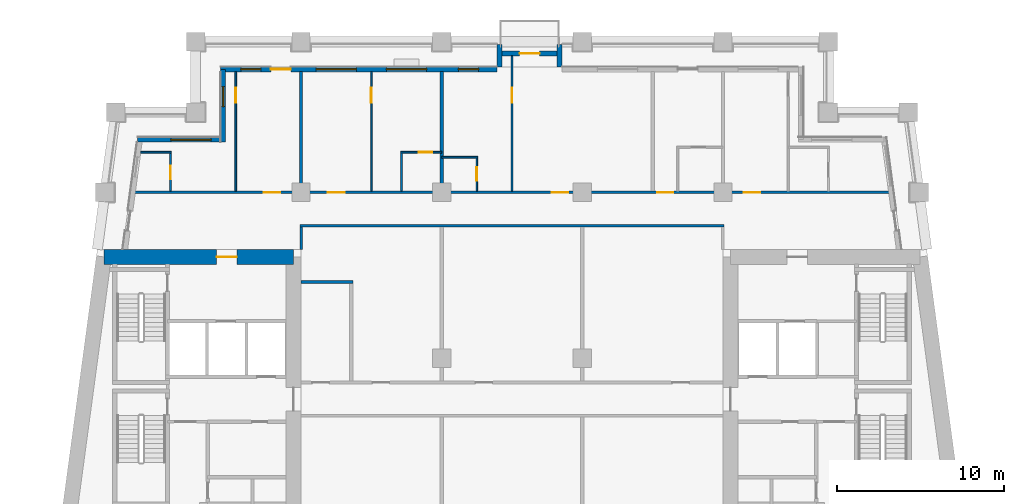
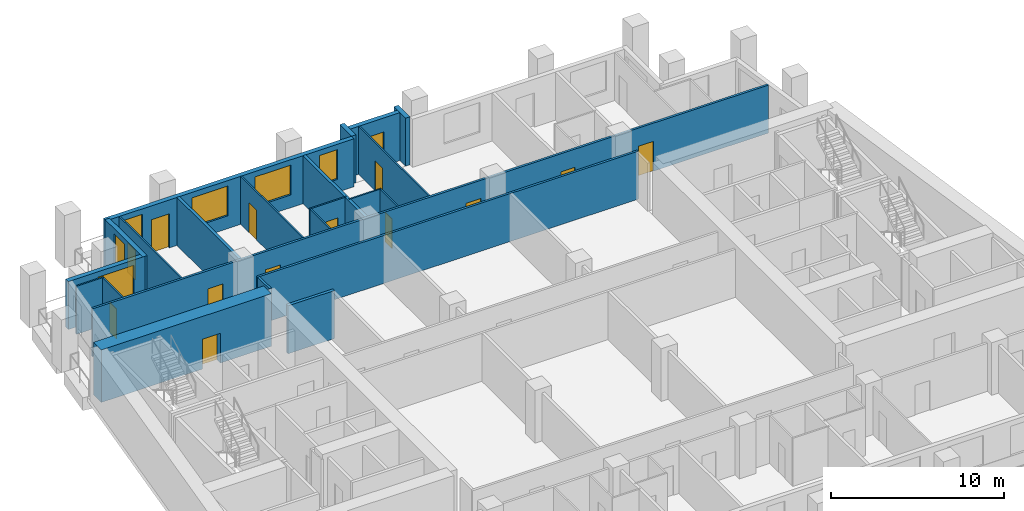
# One storey, part 6 of 12: 22 walls, 14 doors, 6 windows, 20 openings.
"""IFC4 building model written with IfcOpenShell, lengths in metres."""

import ifcopenshell
import ifcopenshell.guid

model = None  # the IFC model being written
_history = None  # IfcOwnerHistory: only IFC2X3 demands one
_inside = {}  # id of a spatial element -> (the spatial element, [elements in it])
_under = {}  # id of a project, library or spatial element -> (it, [spatial elements below it])
_declared = {}  # id of a project -> (the project, [libraries it declares])
_typed = {}  # id of a type object -> (the type object, [elements of that type])
_made_of = {}  # id of a material, layer set ... -> (it, [elements and type objects made of it])


def new_model(schema):
    """Start an empty IFC model of exactly this schema.

    Asked for "IFC4X3", IfcOpenShell would pick the latest addendum, in which some entities
    have other attributes; the version numbers below select the first issue.
    IFC2X3 requires an IfcOwnerHistory on every rooted entity: one is made here for all.
    """
    global model, _history
    if schema == "IFC4X3":
        model = ifcopenshell.file(schema_version=(4, 3, 0, 0))
    else:
        model = ifcopenshell.file(schema=schema)
    _inside.clear()
    _under.clear()
    _declared.clear()
    _typed.clear()
    _made_of.clear()
    _history = None
    if model.schema == "IFC2X3":
        org = make("IfcOrganization", Name="unknown")
        user = make(
            "IfcPersonAndOrganization",
            ThePerson=make("IfcPerson", FamilyName="unknown"),
            TheOrganization=org,
        )
        app = make(
            "IfcApplication",
            ApplicationDeveloper=org,
            Version="unknown",
            ApplicationFullName="unknown",
            ApplicationIdentifier="unknown",
        )
        _history = make(
            "IfcOwnerHistory",
            OwningUser=user,
            OwningApplication=app,
            ChangeAction="ADDED",
            CreationDate=0,
        )
    return model


def make(cls, **values):
    """One entity of the class cls with the attributes given. An attribute that is None is left unset."""
    return model.create_entity(
        cls, **{name: value for name, value in values.items() if value is not None}
    )


def rooted(cls, **values):
    """An entity with a GlobalId (a new one), such as an element, a storey or a relation."""
    return make(cls, GlobalId=ifcopenshell.guid.new(), OwnerHistory=_history, **values)


def si_unit(unit_type, name, prefix=None):
    """IfcSIUnit, for example si_unit("LENGTHUNIT", "METRE", prefix="MILLI")."""
    return make("IfcSIUnit", UnitType=unit_type, Prefix=prefix, Name=name)


def assignment(units):
    """IfcUnitAssignment: the units of a project."""
    return None if units is None else make("IfcUnitAssignment", Units=units)


def point(xyz):
    """IfcCartesianPoint."""
    return None if xyz is None else make("IfcCartesianPoint", Coordinates=xyz)


def direction(xyz):
    """IfcDirection."""
    return None if xyz is None else make("IfcDirection", DirectionRatios=xyz)


def frame(location, z_axis=None, x_axis=None):
    """IfcAxis2Placement3D, a coordinate frame: its origin and axes. An axis left out is left unset."""
    return make(
        "IfcAxis2Placement3D",
        Location=point(location),
        Axis=direction(z_axis),
        RefDirection=direction(x_axis),
    )


def frame_2d(location, x_axis=None):
    """IfcAxis2Placement2D, a coordinate frame in the plane: its origin and x axis."""
    return make(
        "IfcAxis2Placement2D", Location=point(location), RefDirection=direction(x_axis)
    )


def origin():
    """The frame at (0, 0, 0) with its axes left unset."""
    return frame((0.0, 0.0, 0.0))


def place(relative_to, where):
    """IfcLocalPlacement: puts the frame where relative to a parent placement (None: the world)."""
    return make(
        "IfcLocalPlacement", PlacementRelTo=relative_to, RelativePlacement=where
    )


def context(
    kind, dimensions, precision=None, world=None, true_north=None, identifier=None
):
    """IfcGeometricRepresentationContext, for example the 3D "Model" context."""
    return make(
        "IfcGeometricRepresentationContext",
        ContextIdentifier=identifier,
        ContextType=kind,
        CoordinateSpaceDimension=dimensions,
        Precision=precision,
        WorldCoordinateSystem=world,
        TrueNorth=true_north,
    )


def subcontext(parent, identifier, kind, view, scale=None):
    """IfcGeometricRepresentationSubContext, for example "Body" below "Model"."""
    return make(
        "IfcGeometricRepresentationSubContext",
        ContextIdentifier=identifier,
        ContextType=kind,
        ParentContext=parent,
        TargetScale=scale,
        TargetView=view,
    )


def project(units=None, contexts=None):
    """IfcProject with its units and contexts."""
    return rooted(
        "IfcProject",
        Name="project",
        RepresentationContexts=contexts,
        UnitsInContext=assignment(units),
    )


def spatial(cls, under=None, at=None, **own):
    """A site, building, storey or space (cls), placed at a placement, below another one or the project."""
    s = rooted(cls, ObjectPlacement=at, **own)
    if under is not None:
        _under.setdefault(under.id(), (under, []))[1].append(s)
    return s


def profile(cls, at=None, kind="AREA", **sizes):
    """A parametric profile (cls). Its sizes go by their IFC names, for example OverallWidth=200.0."""
    return make(cls, ProfileType=kind, Position=at, **sizes)


def rectangle(**sizes):
    """IfcRectangleProfileDef."""
    return profile("IfcRectangleProfileDef", **sizes)


def extrude(swept, where, along, depth):
    """IfcExtrudedAreaSolid: the profile swept, set in the frame where, extruded along a direction by depth."""
    return make(
        "IfcExtrudedAreaSolid",
        SweptArea=swept,
        Position=where,
        ExtrudedDirection=direction(along),
        Depth=depth,
    )


def shape(context_of_items, identifier, shape_type, items):
    """IfcShapeRepresentation: the items that make up one representation, for example the "Body"."""
    return make(
        "IfcShapeRepresentation",
        ContextOfItems=context_of_items,
        RepresentationIdentifier=identifier,
        RepresentationType=shape_type,
        Items=items,
    )


def material(Name=None, Category=None):
    """IfcMaterial."""
    return make("IfcMaterial", Name=Name, Category=Category)


def layer(
    of_material, thickness, ventilated=None, Name=None, Category=None, Priority=None
):
    """IfcMaterialLayer: one layer of a wall or slab, of a material (None: an air gap)."""
    return make(
        "IfcMaterialLayer",
        Material=of_material,
        LayerThickness=thickness,
        IsVentilated=ventilated,
        Name=Name,
        Category=Category,
        Priority=Priority,
    )


def layer_set(layers, Name=None):
    """IfcMaterialLayerSet."""
    return make("IfcMaterialLayerSet", MaterialLayers=layers, LayerSetName=Name)


def made_of(thing, what):
    """Note that an element or type object is made of a material, layer set ...; save() writes the relation."""
    if what is not None:
        _made_of.setdefault(what.id(), (what, []))[1].append(thing)
    return thing


def type_object(cls, material=None, **own):
    """A type object (cls), such as IfcWallType, which elements share."""
    return made_of(rooted(cls, **own), material)


def element(
    cls,
    number,
    at=None,
    inside=None,
    cuts=None,
    type_object=None,
    material=None,
    context=None,
    identifier="Body",
    shape_type=None,
    held_by="IfcProductDefinitionShape",
    body=None,
    shapes=None,
    **own,
):
    """One element of the class cls, such as IfcWall. Its Tag is "e" and its number.

    at: its placement. inside: the storey or other place that contains it. cuts: it is an
    opening in that element (IfcRelVoidsElement). A single representation is given by context,
    identifier, shape_type and body (its items); several are given by shapes. held_by: the class
    of the entity that holds the representations. save() writes the other relations.
    """
    e = rooted(cls, Tag="e%d" % number, ObjectPlacement=at, **own)
    if body is not None:
        shapes = [shape(context, identifier, shape_type, body)]
    if shapes is not None:
        e.Representation = make(held_by, Representations=shapes)
    if inside is not None:
        _inside.setdefault(inside.id(), (inside, []))[1].append(e)
    if cuts is not None:
        rooted(
            "IfcRelVoidsElement", RelatingBuildingElement=cuts, RelatedOpeningElement=e
        )
    if type_object is not None:
        _typed.setdefault(type_object.id(), (type_object, []))[1].append(e)
    return made_of(e, material)


def fill(opening, filler):
    """IfcRelFillsElement: the door or window that sits in an opening."""
    return rooted(
        "IfcRelFillsElement",
        RelatingOpeningElement=opening,
        RelatedBuildingElement=filler,
    )


def aggregate(whole, parts):
    """IfcRelAggregates: a whole, such as a stair, and the parts it consists of."""
    return rooted("IfcRelAggregates", RelatingObject=whole, RelatedObjects=parts)


def save(model, path):
    """Write the relations noted so far, then the file.

    IfcRelAggregates (storeys below a building ...), IfcRelContainedInSpatialStructure (elements
    in a storey), IfcRelDefinesByType, IfcRelAssociatesMaterial and IfcRelDeclares: one each for
    every whole, place, type object, material and project.
    """
    for whole, parts in _under.values():
        aggregate(whole, parts)
    for where, things in _inside.values():
        rooted(
            "IfcRelContainedInSpatialStructure",
            RelatedElements=things,
            RelatingStructure=where,
        )
    for kind, things in _typed.values():
        rooted("IfcRelDefinesByType", RelatedObjects=things, RelatingType=kind)
    for what, things in _made_of.values():
        rooted("IfcRelAssociatesMaterial", RelatedObjects=things, RelatingMaterial=what)
    for by, libraries in _declared.values():
        rooted("IfcRelDeclares", RelatingContext=by, RelatedDefinitions=libraries)
    model.write(path)


model = new_model("IFC4")

# Units and contexts
model_context = context("Model", 3, precision=1e-05, world=origin(), true_north=direction((0.0, 1.0)))
body_context = subcontext(model_context, "Body", "Model", "MODEL_VIEW")
ifc_project = project(units=[si_unit("LENGTHUNIT", "METRE"), si_unit("AREAUNIT", "SQUARE_METRE"), si_unit("VOLUMEUNIT", "CUBIC_METRE"), si_unit("PLANEANGLEUNIT", "RADIAN"), si_unit("MASSUNIT", "GRAM", prefix="KILO")], contexts=[model_context])

# Site, building, storey
site_placement = place(None, origin())
site = spatial("IfcSite", under=ifc_project, at=site_placement, CompositionType="ELEMENT")
building_placement = place(site_placement, origin())
building = spatial("IfcBuilding", under=site, at=building_placement, Name="Candeia Pilgrim Tower and Theatre", CompositionType="ELEMENT")
storey_placement = place(building_placement, frame((0.0, 0.0, 166.300048828125)))
storey = spatial("IfcBuildingStorey", under=building, at=storey_placement, Name="L39", CompositionType="ELEMENT", Elevation=166.300048828125)

# Wall, opening, door
ifc_material_1 = material(Name="Concrete C60/75", Category="concrete")
ifc_layer_1 = layer(ifc_material_1, 0.89990234375)
ifc_layer_set_1 = layer_set([ifc_layer_1], Name="Core wall 900 C60/75")
wall_type_1 = type_object("IfcWallType", Name="Core wall 900 C60/75", PredefinedType="SHEAR", material=ifc_layer_set_1)
wall_1_placement = place(storey_placement, frame((89.024169921875, 131.949951171875, 0.0), z_axis=(0.0, 0.0, 1.0), x_axis=(1.0, 0.0, 0.0)))
wall_1 = element("IfcWall", 1, at=wall_1_placement, inside=storey, type_object=wall_type_1, Name="Core wall W1", PredefinedType="SHEAR", context=body_context, shape_type="SweptSolid", body=[
    extrude(rectangle(XDim=11.325927734375, YDim=0.89990234375, at=frame_2d((5.6630859375, 0.0))), origin(), (0.0, 0.0, 1.0), 3.699951171875),
])
opening_1_placement = place(wall_1_placement, frame((6.7392578125, 0.0, 0.0)))
opening_1 = element("IfcOpeningElement", 2, at=opening_1_placement, cuts=wall_1, Name="Opening L39-D053", PredefinedType="OPENING", context=body_context, shape_type="SweptSolid", body=[
    extrude(rectangle(XDim=1.199951171875, YDim=2.10009765625, at=frame_2d((0.60009765625, 1.050048828125))), frame((0.0, 0.4599609375, 0.0), z_axis=(0.0, -1.0, 0.0), x_axis=(1.0, 0.0, 0.0)), (0.0, 0.0, 1.0), 0.919921875),
])
ifc_material_2 = material(Name="Steel fire door set", Category="steel")
door_type_1 = type_object("IfcDoorType", Name="D-1200-FD60", OperationType="NOTDEFINED", PredefinedType="DOOR", material=ifc_material_2)
door_1_placement = place(opening_1_placement, origin())
door_1 = element("IfcDoor", 3, at=door_1_placement, inside=storey, type_object=door_type_1, Name="Door L39-D053", OperationType="SINGLE_SWING_RIGHT", OverallHeight=2.10009765625, OverallWidth=1.199951171875, PredefinedType="DOOR", context=body_context, shape_type="SweptSolid", body=[
    extrude(rectangle(XDim=1.199951171875, YDim=2.10009765625, at=frame_2d((0.60009765625, 1.050048828125))), frame((0.0, 0.02490234375, 0.0), z_axis=(0.0, -1.0, 0.0), x_axis=(1.0, 0.0, 0.0)), (0.0, 0.0, 1.0), 0.050048828125),
])
fill(opening_1, door_1)

# Wall, openings, door, windows
ifc_material_3 = material(Name="Ceramic block masonry", Category="masonry")
ifc_layer_2 = layer(ifc_material_3, 0.300048828125)
ifc_layer_set_2 = layer_set([ifc_layer_2], Name="EW1 glazing-line wall 300")
wall_type_2 = type_object("IfcWallType", Name="EW1 glazing-line wall 300", PredefinedType="SOLIDWALL", material=ifc_layer_set_2)
wall_2_placement = place(storey_placement, frame((112.5, 143.14990234375, 0.0), z_axis=(0.0, 0.0, 1.0), x_axis=(-1.0, 0.0, 0.0)))
wall_2 = element("IfcWall", 4, at=wall_2_placement, inside=storey, type_object=wall_type_2, Name="External wall L39-6.1", PredefinedType="SOLIDWALL", context=body_context, shape_type="SweptSolid", body=[
    extrude(rectangle(XDim=16.5, YDim=0.300048828125, at=frame_2d((8.25, 0.0))), origin(), (0.0, 0.0, 1.0), 3.3798828125),
])
opening_2_placement = place(wall_2_placement, frame((1.10009765625, 0.0, 0.89990234375)))
opening_2 = element("IfcOpeningElement", 5, at=opening_2_placement, cuts=wall_2, Name="Opening W-B", PredefinedType="OPENING", context=body_context, shape_type="SweptSolid", body=[
    extrude(rectangle(XDim=1.199951171875, YDim=2.10009765625, at=frame_2d((0.60009765625, 1.050048828125))), frame((0.0, 0.16015625, 0.0), z_axis=(0.0, -1.0, 0.0), x_axis=(1.0, 0.0, 0.0)), (0.0, 0.0, 1.0), 0.320068359375),
])
opening_3_placement = place(wall_2_placement, frame((4.199951171875, 0.0, 0.89990234375)))
opening_3 = element("IfcOpeningElement", 6, at=opening_3_placement, cuts=wall_2, Name="Opening W-A", PredefinedType="OPENING", context=body_context, shape_type="SweptSolid", body=[
    extrude(rectangle(XDim=2.39990234375, YDim=2.10009765625, at=frame_2d((1.199951171875, 1.050048828125))), frame((0.0, 0.16015625, 0.0), z_axis=(0.0, -1.0, 0.0), x_axis=(1.0, 0.0, 0.0)), (0.0, 0.0, 1.0), 0.320068359375),
])
opening_4_placement = place(wall_2_placement, frame((8.39990234375, 0.0, 0.89990234375)))
opening_4 = element("IfcOpeningElement", 7, at=opening_4_placement, cuts=wall_2, Name="Opening W-A", PredefinedType="OPENING", context=body_context, shape_type="SweptSolid", body=[
    extrude(rectangle(XDim=2.39990234375, YDim=2.10009765625, at=frame_2d((1.199951171875, 1.050048828125))), frame((0.0, 0.16015625, 0.0), z_axis=(0.0, -1.0, 0.0), x_axis=(1.0, 0.0, 0.0)), (0.0, 0.0, 1.0), 0.320068359375),
])
opening_5_placement = place(wall_2_placement, frame((12.300048828125, 0.0, 0.0)))
opening_5 = element("IfcOpeningElement", 8, at=opening_5_placement, cuts=wall_2, Name="Opening L39-ED377", PredefinedType="OPENING", context=body_context, shape_type="SweptSolid", body=[
    extrude(rectangle(XDim=1.199951171875, YDim=2.39990234375, at=frame_2d((0.60009765625, 1.199951171875))), frame((0.0, 0.16015625, 0.0), z_axis=(0.0, -1.0, 0.0), x_axis=(1.0, 0.0, 0.0)), (0.0, 0.0, 1.0), 0.320068359375),
])
opening_6_placement = place(wall_2_placement, frame((14.10009765625, 0.0, 0.89990234375)))
opening_6 = element("IfcOpeningElement", 9, at=opening_6_placement, cuts=wall_2, Name="Opening W-B", PredefinedType="OPENING", context=body_context, shape_type="SweptSolid", body=[
    extrude(rectangle(XDim=1.199951171875, YDim=2.10009765625, at=frame_2d((0.60009765625, 1.050048828125))), frame((0.0, 0.16015625, 0.0), z_axis=(0.0, -1.0, 0.0), x_axis=(1.0, 0.0, 0.0)), (0.0, 0.0, 1.0), 0.320068359375),
])
ifc_material_4 = material(Name="Aluminium framed glazed door", Category="aluminium")
door_type_2 = type_object("IfcDoorType", Name="Loggia door 1200x2400", OperationType="DOUBLE_DOOR_SINGLE_SWING", PredefinedType="DOOR", material=ifc_material_4)
door_2_placement = place(opening_5_placement, origin())
door_2 = element("IfcDoor", 10, at=door_2_placement, inside=storey, type_object=door_type_2, Name="Loggia door L39-ED377", OperationType="DOUBLE_DOOR_SINGLE_SWING", OverallHeight=2.39990234375, OverallWidth=1.199951171875, PredefinedType="DOOR", context=body_context, shape_type="SweptSolid", body=[
    extrude(rectangle(XDim=1.199951171875, YDim=2.39990234375, at=frame_2d((0.60009765625, 1.199951171875))), frame((0.0, 0.02490234375, 0.0), z_axis=(0.0, -1.0, 0.0), x_axis=(1.0, 0.0, 0.0)), (0.0, 0.0, 1.0), 0.050048828125),
])
fill(opening_5, door_2)
ifc_material_5 = material(Name="Aluminium framed double glazing", Category="aluminium")
window_type_1 = type_object("IfcWindowType", Name="W-A window 2400x2100", PartitioningType="DOUBLE_PANEL_VERTICAL", PredefinedType="WINDOW", material=ifc_material_5)
window_1_placement = place(opening_3_placement, origin())
window_1 = element("IfcWindow", 11, at=window_1_placement, inside=storey, type_object=window_type_1, Name="Window W-A L39", OverallHeight=2.10009765625, OverallWidth=2.39990234375, PartitioningType="SINGLE_PANEL", PredefinedType="WINDOW", context=body_context, shape_type="SweptSolid", body=[
    extrude(rectangle(XDim=2.39990234375, YDim=2.10009765625, at=frame_2d((1.199951171875, 1.050048828125))), frame((0.0, 0.030029296875, 0.0), z_axis=(0.0, -1.0, 0.0), x_axis=(1.0, 0.0, 0.0)), (0.0, 0.0, 1.0), 0.06005859375),
])
fill(opening_3, window_1)
window_2_placement = place(opening_4_placement, origin())
window_2 = element("IfcWindow", 12, at=window_2_placement, inside=storey, type_object=window_type_1, Name="Window W-A L39", OverallHeight=2.10009765625, OverallWidth=2.39990234375, PartitioningType="SINGLE_PANEL", PredefinedType="WINDOW", context=body_context, shape_type="SweptSolid", body=[
    extrude(rectangle(XDim=2.39990234375, YDim=2.10009765625, at=frame_2d((1.199951171875, 1.050048828125))), frame((0.0, 0.030029296875, 0.0), z_axis=(0.0, -1.0, 0.0), x_axis=(1.0, 0.0, 0.0)), (0.0, 0.0, 1.0), 0.06005859375),
])
fill(opening_4, window_2)
window_type_2 = type_object("IfcWindowType", Name="W-B window 1200x2100", PartitioningType="SINGLE_PANEL", PredefinedType="WINDOW", material=ifc_material_5)
window_3_placement = place(opening_2_placement, origin())
window_3 = element("IfcWindow", 13, at=window_3_placement, inside=storey, type_object=window_type_2, Name="Window W-B L39", OverallHeight=2.10009765625, OverallWidth=1.199951171875, PartitioningType="SINGLE_PANEL", PredefinedType="WINDOW", context=body_context, shape_type="SweptSolid", body=[
    extrude(rectangle(XDim=1.199951171875, YDim=2.10009765625, at=frame_2d((0.60009765625, 1.050048828125))), frame((0.0, 0.030029296875, 0.0), z_axis=(0.0, -1.0, 0.0), x_axis=(1.0, 0.0, 0.0)), (0.0, 0.0, 1.0), 0.06005859375),
])
fill(opening_2, window_3)
window_4_placement = place(opening_6_placement, origin())
window_4 = element("IfcWindow", 14, at=window_4_placement, inside=storey, type_object=window_type_2, Name="Window W-B L39", OverallHeight=2.10009765625, OverallWidth=1.199951171875, PartitioningType="SINGLE_PANEL", PredefinedType="WINDOW", context=body_context, shape_type="SweptSolid", body=[
    extrude(rectangle(XDim=1.199951171875, YDim=2.10009765625, at=frame_2d((0.60009765625, 1.050048828125))), frame((0.0, 0.030029296875, 0.0), z_axis=(0.0, -1.0, 0.0), x_axis=(1.0, 0.0, 0.0)), (0.0, 0.0, 1.0), 0.06005859375),
])
fill(opening_6, window_4)

# Wall, opening, window
wall_3_placement = place(storey_placement, frame((96.14990234375, 143.14990234375, 0.0), z_axis=(0.0, 0.0, 1.0), x_axis=(0.0, -1.0, 0.0)))
wall_3 = element("IfcWall", 15, at=wall_3_placement, inside=storey, type_object=wall_type_2, Name="External wall L39-7.0", PredefinedType="SOLIDWALL", context=body_context, shape_type="SweptSolid", body=[
    extrude(rectangle(XDim=4.349853515625, YDim=0.300048828125, at=frame_2d((2.1748046875, 0.0))), origin(), (0.0, 0.0, 1.0), 3.3798828125),
])
opening_7_placement = place(wall_3_placement, frame((1.02490234375, 0.0, 0.89990234375)))
opening_7 = element("IfcOpeningElement", 16, at=opening_7_placement, cuts=wall_3, Name="Opening W-B", PredefinedType="OPENING", context=body_context, shape_type="SweptSolid", body=[
    extrude(rectangle(XDim=1.199951171875, YDim=2.10009765625, at=frame_2d((0.60009765625, 1.050048828125))), frame((0.0, 0.16015625, 0.0), z_axis=(0.0, -1.0, 0.0), x_axis=(1.0, 0.0, 0.0)), (0.0, 0.0, 1.0), 0.320068359375),
])
window_5_placement = place(opening_7_placement, origin())
window_5 = element("IfcWindow", 17, at=window_5_placement, inside=storey, type_object=window_type_2, Name="Window W-B L39", OverallHeight=2.10009765625, OverallWidth=1.199951171875, PartitioningType="SINGLE_PANEL", PredefinedType="WINDOW", context=body_context, shape_type="SweptSolid", body=[
    extrude(rectangle(XDim=1.199951171875, YDim=2.10009765625, at=frame_2d((0.60009765625, 1.050048828125))), frame((0.0, 0.030029296875, 0.0), z_axis=(0.0, -1.0, 0.0), x_axis=(1.0, 0.0, 0.0)), (0.0, 0.0, 1.0), 0.06005859375),
])
fill(opening_7, window_5)

wall_4_placement = place(storey_placement, frame((96.14990234375, 138.949951171875, 0.0), z_axis=(0.0, 0.0, 1.0), x_axis=(-1.0, 0.0, 0.0)))
wall_4 = element("IfcWall", 18, at=wall_4_placement, inside=storey, type_object=wall_type_2, Name="External wall L39-8.0", PredefinedType="SOLIDWALL", context=body_context, shape_type="SweptSolid", body=[
    extrude(rectangle(XDim=5.103759765625, YDim=0.300048828125, at=frame_2d((2.5517578125, 0.0))), origin(), (0.0, 0.0, 1.0), 3.3798828125),
])
opening_8_placement = place(wall_4_placement, frame((0.72509765625, 0.0, 0.89990234375)))
opening_8 = element("IfcOpeningElement", 19, at=opening_8_placement, cuts=wall_4, Name="Opening W-A", PredefinedType="OPENING", context=body_context, shape_type="SweptSolid", body=[
    extrude(rectangle(XDim=2.39990234375, YDim=2.10009765625, at=frame_2d((1.199951171875, 1.050048828125))), frame((0.0, 0.16015625, 0.0), z_axis=(0.0, -1.0, 0.0), x_axis=(1.0, 0.0, 0.0)), (0.0, 0.0, 1.0), 0.320068359375),
])
window_6_placement = place(opening_8_placement, origin())
window_6 = element("IfcWindow", 20, at=window_6_placement, inside=storey, type_object=window_type_1, Name="Window W-A L39", OverallHeight=2.10009765625, OverallWidth=2.39990234375, PartitioningType="SINGLE_PANEL", PredefinedType="WINDOW", context=body_context, shape_type="SweptSolid", body=[
    extrude(rectangle(XDim=2.39990234375, YDim=2.10009765625, at=frame_2d((1.199951171875, 1.050048828125))), frame((0.0, 0.030029296875, 0.0), z_axis=(0.0, -1.0, 0.0), x_axis=(1.0, 0.0, 0.0)), (0.0, 0.0, 1.0), 0.06005859375),
])
fill(opening_8, window_6)

# Walls
ifc_layer_3 = layer(ifc_material_3, 0.300048828125)
ifc_layer_set_3 = layer_set([ifc_layer_3], Name="EW2 entrance infill wall 300")
wall_type_3 = type_object("IfcWallType", Name="EW2 entrance infill wall 300", PredefinedType="SOLIDWALL", material=ifc_layer_set_3)
for number, where, z_axis, x_axis, name in (
    (21, (116.25, 143.300048828125, 0.0), (0.0, 0.0, 1.0), (0.0, 1.0, 0.0), "Alcove wall L39"),
    (22, (112.64990234375, 143.300048828125, 0.0), (0.0, 0.0, 1.0), (0.0, 1.0, 0.0), "Alcove wall L39"),
):
    element("IfcWall", number, at=place(storey_placement, frame(where, z_axis=z_axis, x_axis=x_axis)), inside=storey, type_object=wall_type_3, Name=name, PredefinedType="SOLIDWALL", context=body_context, shape_type="SweptSolid", body=[
        extrude(rectangle(XDim=1.349853515625, YDim=0.300048828125, at=frame_2d((0.6748046875, 0.0))), origin(), (0.0, 0.0, 1.0), 3.3798828125),
    ])

# Wall, opening, door
wall_5_placement = place(storey_placement, frame((116.39990234375, 144.10009765625, 0.0), z_axis=(0.0, 0.0, 1.0), x_axis=(-1.0, 0.0, 0.0)))
wall_5 = element("IfcWall", 23, at=wall_5_placement, inside=storey, type_object=wall_type_3, Name="Alcove wall L39", PredefinedType="SOLIDWALL", context=body_context, shape_type="SweptSolid", body=[
    extrude(rectangle(XDim=3.89990234375, YDim=0.300048828125, at=frame_2d((1.949951171875, 0.0))), origin(), (0.0, 0.0, 1.0), 3.3798828125),
])
opening_9_placement = place(wall_5_placement, frame((1.35009765625, 0.0, 0.0)))
opening_9 = element("IfcOpeningElement", 24, at=opening_9_placement, cuts=wall_5, Name="Opening L39-ED378", PredefinedType="OPENING", context=body_context, shape_type="SweptSolid", body=[
    extrude(rectangle(XDim=1.199951171875, YDim=2.39990234375, at=frame_2d((0.60009765625, 1.199951171875))), frame((0.0, 0.16015625, 0.0), z_axis=(0.0, -1.0, 0.0), x_axis=(1.0, 0.0, 0.0)), (0.0, 0.0, 1.0), 0.320068359375),
])
door_3_placement = place(opening_9_placement, origin())
door_3 = element("IfcDoor", 25, at=door_3_placement, inside=storey, type_object=door_type_2, Name="Balcony door L39-ED378", OperationType="DOUBLE_DOOR_SINGLE_SWING", OverallHeight=2.39990234375, OverallWidth=1.199951171875, PredefinedType="DOOR", context=body_context, shape_type="SweptSolid", body=[
    extrude(rectangle(XDim=1.199951171875, YDim=2.39990234375, at=frame_2d((0.60009765625, 1.199951171875))), frame((0.0, 0.02490234375, 0.0), z_axis=(0.0, -1.0, 0.0), x_axis=(1.0, 0.0, 0.0)), (0.0, 0.0, 1.0), 0.050048828125),
])
fill(opening_9, door_3)

# Walls
ifc_material_6 = material(Name="Gypsum board partition on steel studs", Category="steel")
ifc_layer_4 = layer(ifc_material_6, 0.10009765625)
ifc_layer_set_4 = layer_set([ifc_layer_4], Name="PW-100 room partition")
wall_type_4 = type_object("IfcWallType", Name="PW-100 room partition", PredefinedType="PARTITIONING", material=ifc_layer_set_4)
wall_6_placement = place(storey_placement, frame((109.199951171875, 137.89990234375, 0.0), z_axis=(0.0, 0.0, 1.0), x_axis=(1.0, 0.0, 0.0)))
element("IfcWall", 26, at=wall_6_placement, inside=storey, type_object=wall_type_4, Name="Room partition L39-043", PredefinedType="PARTITIONING", context=body_context, shape_type="SweptSolid", body=[
    extrude(rectangle(XDim=2.150146484375, YDim=0.10009765625, at=frame_2d((1.0751953125, 0.0))), origin(), (0.0, 0.0, 1.0), 3.3798828125),
])
wall_7_placement = place(storey_placement, frame((91.2177734375, 138.199951171875, 0.0), z_axis=(0.0, 0.0, 1.0), x_axis=(1.0, 0.0, 0.0)))
element("IfcWall", 27, at=wall_7_placement, inside=storey, type_object=wall_type_4, Name="Room partition L39-044", PredefinedType="PARTITIONING", context=body_context, shape_type="SweptSolid", body=[
    extrude(rectangle(XDim=1.832275390625, YDim=0.10009765625, at=frame_2d((0.916015625, 0.0))), origin(), (0.0, 0.0, 1.0), 3.3798828125),
])

# Wall, opening, door
wall_8_placement = place(storey_placement, frame((106.75, 138.199951171875, 0.0), z_axis=(0.0, 0.0, 1.0), x_axis=(1.0, 0.0, 0.0)))
wall_8 = element("IfcWall", 28, at=wall_8_placement, inside=storey, type_object=wall_type_4, Name="Room partition L39-045", PredefinedType="PARTITIONING", context=body_context, shape_type="SweptSolid", body=[
    extrude(rectangle(XDim=2.449951171875, YDim=0.10009765625, at=frame_2d((1.22509765625, 0.0))), origin(), (0.0, 0.0, 1.0), 3.3798828125),
])
opening_10_placement = place(wall_8_placement, frame((1.074951171875, 0.0, 0.0)))
opening_10 = element("IfcOpeningElement", 29, at=opening_10_placement, cuts=wall_8, Name="Opening L39-D036", PredefinedType="OPENING", context=body_context, shape_type="SweptSolid", body=[
    extrude(rectangle(XDim=0.800048828125, YDim=2.10009765625, at=frame_2d((0.39990234375, 1.050048828125))), frame((0.0, 0.06005859375, 0.0), z_axis=(0.0, -1.0, 0.0), x_axis=(1.0, 0.0, 0.0)), (0.0, 0.0, 1.0), 0.1201171875),
])
ifc_material_7 = material(Name="Timber door leaf", Category="wood")
door_type_3 = type_object("IfcDoorType", Name="D-800", OperationType="NOTDEFINED", PredefinedType="DOOR", material=ifc_material_7)
door_4_placement = place(opening_10_placement, origin())
door_4 = element("IfcDoor", 30, at=door_4_placement, inside=storey, type_object=door_type_3, Name="Door L39-D036", OperationType="SINGLE_SWING_LEFT", OverallHeight=2.10009765625, OverallWidth=0.800048828125, PredefinedType="DOOR", context=body_context, shape_type="SweptSolid", body=[
    extrude(rectangle(XDim=0.800048828125, YDim=2.10009765625, at=frame_2d((0.39990234375, 1.050048828125))), frame((0.0, 0.02490234375, 0.0), z_axis=(0.0, -1.0, 0.0), x_axis=(1.0, 0.0, 0.0)), (0.0, 0.0, 1.0), 0.050048828125),
])
fill(opening_10, door_4)

wall_9_placement = place(storey_placement, frame((93.0, 135.875, 0.0), z_axis=(0.0, 0.0, 1.0), x_axis=(0.0, 1.0, 0.0)))
wall_9 = element("IfcWall", 31, at=wall_9_placement, inside=storey, type_object=wall_type_4, Name="Room partition L39-059", PredefinedType="PARTITIONING", context=body_context, shape_type="SweptSolid", body=[
    extrude(rectangle(XDim=2.27490234375, YDim=0.10009765625, at=frame_2d((1.137451171875, 0.0))), origin(), (0.0, 0.0, 1.0), 3.3798828125),
])
opening_11_placement = place(wall_9_placement, frame((0.72509765625, 0.0, 0.0)))
opening_11 = element("IfcOpeningElement", 32, at=opening_11_placement, cuts=wall_9, Name="Opening L39-D033", PredefinedType="OPENING", context=body_context, shape_type="SweptSolid", body=[
    extrude(rectangle(XDim=0.800048828125, YDim=2.10009765625, at=frame_2d((0.39990234375, 1.050048828125))), frame((0.0, 0.06005859375, 0.0), z_axis=(0.0, -1.0, 0.0), x_axis=(1.0, 0.0, 0.0)), (0.0, 0.0, 1.0), 0.1201171875),
])
door_5_placement = place(opening_11_placement, origin())
door_5 = element("IfcDoor", 33, at=door_5_placement, inside=storey, type_object=door_type_3, Name="Door L39-D033", OperationType="SINGLE_SWING_RIGHT", OverallHeight=2.10009765625, OverallWidth=0.800048828125, PredefinedType="DOOR", context=body_context, shape_type="SweptSolid", body=[
    extrude(rectangle(XDim=0.800048828125, YDim=2.10009765625, at=frame_2d((0.39990234375, 1.050048828125))), frame((0.0, 0.02490234375, 0.0), z_axis=(0.0, -1.0, 0.0), x_axis=(1.0, 0.0, 0.0)), (0.0, 0.0, 1.0), 0.050048828125),
])
fill(opening_11, door_5)

wall_10_placement = place(storey_placement, frame((96.89990234375, 135.875, 0.0), z_axis=(0.0, 0.0, 1.0), x_axis=(0.0, 1.0, 0.0)))
wall_10 = element("IfcWall", 34, at=wall_10_placement, inside=storey, type_object=wall_type_4, Name="Room partition L39-065", PredefinedType="PARTITIONING", context=body_context, shape_type="SweptSolid", body=[
    extrude(rectangle(XDim=7.135009765625, YDim=0.10009765625, at=frame_2d((3.5673828125, 0.0))), origin(), (0.0, 0.0, 1.0), 3.3798828125),
])
opening_12_placement = place(wall_10_placement, frame((5.2900390625, 0.0, 0.0)))
opening_12 = element("IfcOpeningElement", 35, at=opening_12_placement, cuts=wall_10, Name="Opening L39-D032", PredefinedType="OPENING", context=body_context, shape_type="SweptSolid", body=[
    extrude(rectangle(XDim=0.89990234375, YDim=2.10009765625, at=frame_2d((0.449951171875, 1.050048828125))), frame((0.0, 0.06005859375, 0.0), z_axis=(0.0, -1.0, 0.0), x_axis=(1.0, 0.0, 0.0)), (0.0, 0.0, 1.0), 0.1201171875),
])
door_type_4 = type_object("IfcDoorType", Name="D-900", OperationType="NOTDEFINED", PredefinedType="DOOR", material=ifc_material_7)
door_6_placement = place(opening_12_placement, origin())
door_6 = element("IfcDoor", 36, at=door_6_placement, inside=storey, type_object=door_type_4, Name="Door L39-D032", OperationType="SINGLE_SWING_LEFT", OverallHeight=2.10009765625, OverallWidth=0.89990234375, PredefinedType="DOOR", context=body_context, shape_type="SweptSolid", body=[
    extrude(rectangle(XDim=0.89990234375, YDim=2.10009765625, at=frame_2d((0.449951171875, 1.050048828125))), frame((0.0, 0.02490234375, 0.0), z_axis=(0.0, -1.0, 0.0), x_axis=(1.0, 0.0, 0.0)), (0.0, 0.0, 1.0), 0.050048828125),
])
fill(opening_12, door_6)

wall_11_placement = place(storey_placement, frame((105.0, 135.875, 0.0), z_axis=(0.0, 0.0, 1.0), x_axis=(0.0, 1.0, 0.0)))
wall_11 = element("IfcWall", 37, at=wall_11_placement, inside=storey, type_object=wall_type_4, Name="Room partition L39-076", PredefinedType="PARTITIONING", context=body_context, shape_type="SweptSolid", body=[
    extrude(rectangle(XDim=7.135009765625, YDim=0.10009765625, at=frame_2d((3.5673828125, 0.0))), origin(), (0.0, 0.0, 1.0), 3.3798828125),
])
opening_13_placement = place(wall_11_placement, frame((5.2900390625, 0.0, 0.0)))
opening_13 = element("IfcOpeningElement", 38, at=opening_13_placement, cuts=wall_11, Name="Opening L39-D035", PredefinedType="OPENING", context=body_context, shape_type="SweptSolid", body=[
    extrude(rectangle(XDim=0.89990234375, YDim=2.10009765625, at=frame_2d((0.449951171875, 1.050048828125))), frame((0.0, 0.06005859375, 0.0), z_axis=(0.0, -1.0, 0.0), x_axis=(1.0, 0.0, 0.0)), (0.0, 0.0, 1.0), 0.1201171875),
])
door_7_placement = place(opening_13_placement, origin())
door_7 = element("IfcDoor", 39, at=door_7_placement, inside=storey, type_object=door_type_4, Name="Door L39-D035", OperationType="SINGLE_SWING_RIGHT", OverallHeight=2.10009765625, OverallWidth=0.89990234375, PredefinedType="DOOR", context=body_context, shape_type="SweptSolid", body=[
    extrude(rectangle(XDim=0.89990234375, YDim=2.10009765625, at=frame_2d((0.449951171875, 1.050048828125))), frame((0.0, 0.02490234375, 0.0), z_axis=(0.0, -1.0, 0.0), x_axis=(1.0, 0.0, 0.0)), (0.0, 0.0, 1.0), 0.050048828125),
])
fill(opening_13, door_7)

# Wall
wall_12_placement = place(storey_placement, frame((106.800048828125, 135.875, 0.0), z_axis=(0.0, 0.0, 1.0), x_axis=(0.0, 1.0, 0.0)))
element("IfcWall", 40, at=wall_12_placement, inside=storey, type_object=wall_type_4, Name="Room partition L39-077", PredefinedType="PARTITIONING", context=body_context, shape_type="SweptSolid", body=[
    extrude(rectangle(XDim=2.27490234375, YDim=0.10009765625, at=frame_2d((1.137451171875, 0.0))), origin(), (0.0, 0.0, 1.0), 3.3798828125),
])

# Wall, opening, door
wall_13_placement = place(storey_placement, frame((111.300048828125, 135.875, 0.0), z_axis=(0.0, 0.0, 1.0), x_axis=(0.0, 1.0, 0.0)))
wall_13 = element("IfcWall", 41, at=wall_13_placement, inside=storey, type_object=wall_type_4, Name="Room partition L39-084", PredefinedType="PARTITIONING", context=body_context, shape_type="SweptSolid", body=[
    extrude(rectangle(XDim=1.97509765625, YDim=0.10009765625, at=frame_2d((0.987548828125, 0.0))), origin(), (0.0, 0.0, 1.0), 3.3798828125),
])
opening_14_placement = place(wall_13_placement, frame((0.635009765625, 0.0, 0.0)))
opening_14 = element("IfcOpeningElement", 42, at=opening_14_placement, cuts=wall_13, Name="Opening L39-D039", PredefinedType="OPENING", context=body_context, shape_type="SweptSolid", body=[
    extrude(rectangle(XDim=0.800048828125, YDim=2.10009765625, at=frame_2d((0.39990234375, 1.050048828125))), frame((0.0, 0.06005859375, 0.0), z_axis=(0.0, -1.0, 0.0), x_axis=(1.0, 0.0, 0.0)), (0.0, 0.0, 1.0), 0.1201171875),
])
door_8_placement = place(opening_14_placement, origin())
door_8 = element("IfcDoor", 43, at=door_8_placement, inside=storey, type_object=door_type_3, Name="Door L39-D039", OperationType="SINGLE_SWING_RIGHT", OverallHeight=2.10009765625, OverallWidth=0.800048828125, PredefinedType="DOOR", context=body_context, shape_type="SweptSolid", body=[
    extrude(rectangle(XDim=0.800048828125, YDim=2.10009765625, at=frame_2d((0.39990234375, 1.050048828125))), frame((0.0, 0.02490234375, 0.0), z_axis=(0.0, -1.0, 0.0), x_axis=(1.0, 0.0, 0.0)), (0.0, 0.0, 1.0), 0.050048828125),
])
fill(opening_14, door_8)

wall_14_placement = place(storey_placement, frame((113.39990234375, 135.875, 0.0), z_axis=(0.0, 0.0, 1.0), x_axis=(0.0, 1.0, 0.0)))
wall_14 = element("IfcWall", 44, at=wall_14_placement, inside=storey, type_object=wall_type_4, Name="Room partition L39-085", PredefinedType="PARTITIONING", context=body_context, shape_type="SweptSolid", body=[
    extrude(rectangle(XDim=8.0849609375, YDim=0.10009765625, at=frame_2d((4.04248046875, 0.0))), origin(), (0.0, 0.0, 1.0), 3.3798828125),
])
opening_15_placement = place(wall_14_placement, frame((5.2900390625, 0.0, 0.0)))
opening_15 = element("IfcOpeningElement", 45, at=opening_15_placement, cuts=wall_14, Name="Opening L39-D038", PredefinedType="OPENING", context=body_context, shape_type="SweptSolid", body=[
    extrude(rectangle(XDim=0.89990234375, YDim=2.10009765625, at=frame_2d((0.449951171875, 1.050048828125))), frame((0.0, 0.06005859375, 0.0), z_axis=(0.0, -1.0, 0.0), x_axis=(1.0, 0.0, 0.0)), (0.0, 0.0, 1.0), 0.1201171875),
])
door_9_placement = place(opening_15_placement, origin())
door_9 = element("IfcDoor", 46, at=door_9_placement, inside=storey, type_object=door_type_4, Name="Door L39-D038", OperationType="SINGLE_SWING_LEFT", OverallHeight=2.10009765625, OverallWidth=0.89990234375, PredefinedType="DOOR", context=body_context, shape_type="SweptSolid", body=[
    extrude(rectangle(XDim=0.89990234375, YDim=2.10009765625, at=frame_2d((0.449951171875, 1.050048828125))), frame((0.0, 0.02490234375, 0.0), z_axis=(0.0, -1.0, 0.0), x_axis=(1.0, 0.0, 0.0)), (0.0, 0.0, 1.0), 0.050048828125),
])
fill(opening_15, door_9)

# Wall
ifc_layer_5 = layer(ifc_material_6, 0.14990234375)
ifc_layer_set_5 = layer_set([ifc_layer_5], Name="PW-150 unit wall")
wall_type_5 = type_object("IfcWallType", Name="PW-150 unit wall", PredefinedType="PARTITIONING", material=ifc_layer_set_5)
wall_15_placement = place(storey_placement, frame((100.72509765625, 133.800048828125, 0.0), z_axis=(0.0, 0.0, 1.0), x_axis=(1.0, 0.0, 0.0)))
element("IfcWall", 47, at=wall_15_placement, inside=storey, type_object=wall_type_5, Name="Unit wall L39-041", PredefinedType="PARTITIONING", context=body_context, shape_type="SweptSolid", body=[
    extrude(rectangle(XDim=25.349853515625, YDim=0.14990234375, at=frame_2d((12.6748046875, 0.0))), origin(), (0.0, 0.0, 1.0), 3.3798828125),
])

# Wall, openings, doors
wall_16_placement = place(storey_placement, frame((90.89453125, 135.800048828125, 0.0), z_axis=(0.0, 0.0, 1.0), x_axis=(1.0, 0.0, 0.0)))
wall_16 = element("IfcWall", 48, at=wall_16_placement, inside=storey, type_object=wall_type_5, Name="Unit wall L39-042", PredefinedType="PARTITIONING", context=body_context, shape_type="SweptSolid", body=[
    extrude(rectangle(XDim=45.010986328125, YDim=0.14990234375, at=frame_2d((22.50537109375, 0.0))), origin(), (0.0, 0.0, 1.0), 3.3798828125),
])
opening_16_placement = place(wall_16_placement, frame((7.67529296875, 0.0, 0.0)))
opening_16 = element("IfcOpeningElement", 49, at=opening_16_placement, cuts=wall_16, Name="Opening L39-D031", PredefinedType="OPENING", context=body_context, shape_type="SweptSolid", body=[
    extrude(rectangle(XDim=1.0, YDim=2.10009765625, at=frame_2d((0.5, 1.050048828125))), frame((0.0, 0.0849609375, 0.0), z_axis=(0.0, -1.0, 0.0), x_axis=(1.0, 0.0, 0.0)), (0.0, 0.0, 1.0), 0.169921875),
])
opening_17_placement = place(wall_16_placement, frame((11.50537109375, 0.0, 0.0)))
opening_17 = element("IfcOpeningElement", 50, at=opening_17_placement, cuts=wall_16, Name="Opening L39-D034", PredefinedType="OPENING", context=body_context, shape_type="SweptSolid", body=[
    extrude(rectangle(XDim=1.0, YDim=2.10009765625, at=frame_2d((0.5, 1.050048828125))), frame((0.0, 0.0849609375, 0.0), z_axis=(0.0, -1.0, 0.0), x_axis=(1.0, 0.0, 0.0)), (0.0, 0.0, 1.0), 0.169921875),
])
opening_18_placement = place(wall_16_placement, frame((24.865478515625, 0.0, 0.0)))
opening_18 = element("IfcOpeningElement", 51, at=opening_18_placement, cuts=wall_16, Name="Opening L39-D037", PredefinedType="OPENING", context=body_context, shape_type="SweptSolid", body=[
    extrude(rectangle(XDim=1.0, YDim=2.10009765625, at=frame_2d((0.5, 1.050048828125))), frame((0.0, 0.0849609375, 0.0), z_axis=(0.0, -1.0, 0.0), x_axis=(1.0, 0.0, 0.0)), (0.0, 0.0, 1.0), 0.169921875),
])
opening_19_placement = place(wall_16_placement, frame((31.180419921875, 0.0, 0.0)))
opening_19 = element("IfcOpeningElement", 52, at=opening_19_placement, cuts=wall_16, Name="Opening L39-D040", PredefinedType="OPENING", context=body_context, shape_type="SweptSolid", body=[
    extrude(rectangle(XDim=0.949951171875, YDim=2.10009765625, at=frame_2d((0.47509765625, 1.050048828125))), frame((0.0, 0.0849609375, 0.0), z_axis=(0.0, -1.0, 0.0), x_axis=(1.0, 0.0, 0.0)), (0.0, 0.0, 1.0), 0.169921875),
])
opening_20_placement = place(wall_16_placement, frame((36.33544921875, 0.0, 0.0)))
opening_20 = element("IfcOpeningElement", 53, at=opening_20_placement, cuts=wall_16, Name="Opening L39-D042", PredefinedType="OPENING", context=body_context, shape_type="SweptSolid", body=[
    extrude(rectangle(XDim=1.0, YDim=2.10009765625, at=frame_2d((0.5, 1.050048828125))), frame((0.0, 0.0849609375, 0.0), z_axis=(0.0, -1.0, 0.0), x_axis=(1.0, 0.0, 0.0)), (0.0, 0.0, 1.0), 0.169921875),
])
door_type_5 = type_object("IfcDoorType", Name="D-1000-FD30S", OperationType="NOTDEFINED", PredefinedType="DOOR", material=ifc_material_2)
door_10_placement = place(opening_16_placement, origin())
door_10 = element("IfcDoor", 54, at=door_10_placement, inside=storey, type_object=door_type_5, Name="Door L39-D031", OperationType="SINGLE_SWING_RIGHT", OverallHeight=2.10009765625, OverallWidth=1.0, PredefinedType="DOOR", context=body_context, shape_type="SweptSolid", body=[
    extrude(rectangle(XDim=1.0, YDim=2.10009765625, at=frame_2d((0.5, 1.050048828125))), frame((0.0, 0.02490234375, 0.0), z_axis=(0.0, -1.0, 0.0), x_axis=(1.0, 0.0, 0.0)), (0.0, 0.0, 1.0), 0.050048828125),
])
fill(opening_16, door_10)
door_11_placement = place(opening_17_placement, origin())
door_11 = element("IfcDoor", 55, at=door_11_placement, inside=storey, type_object=door_type_5, Name="Door L39-D034", OperationType="SINGLE_SWING_LEFT", OverallHeight=2.10009765625, OverallWidth=1.0, PredefinedType="DOOR", context=body_context, shape_type="SweptSolid", body=[
    extrude(rectangle(XDim=1.0, YDim=2.10009765625, at=frame_2d((0.5, 1.050048828125))), frame((0.0, 0.02490234375, 0.0), z_axis=(0.0, -1.0, 0.0), x_axis=(1.0, 0.0, 0.0)), (0.0, 0.0, 1.0), 0.050048828125),
])
fill(opening_17, door_11)
door_12_placement = place(opening_18_placement, origin())
door_12 = element("IfcDoor", 56, at=door_12_placement, inside=storey, type_object=door_type_5, Name="Door L39-D037", OperationType="SINGLE_SWING_RIGHT", OverallHeight=2.10009765625, OverallWidth=1.0, PredefinedType="DOOR", context=body_context, shape_type="SweptSolid", body=[
    extrude(rectangle(XDim=1.0, YDim=2.10009765625, at=frame_2d((0.5, 1.050048828125))), frame((0.0, 0.02490234375, 0.0), z_axis=(0.0, -1.0, 0.0), x_axis=(1.0, 0.0, 0.0)), (0.0, 0.0, 1.0), 0.050048828125),
])
fill(opening_18, door_12)
door_13_placement = place(opening_20_placement, origin())
door_13 = element("IfcDoor", 57, at=door_13_placement, inside=storey, type_object=door_type_5, Name="Door L39-D042", OperationType="SINGLE_SWING_LEFT", OverallHeight=2.10009765625, OverallWidth=1.0, PredefinedType="DOOR", context=body_context, shape_type="SweptSolid", body=[
    extrude(rectangle(XDim=1.0, YDim=2.10009765625, at=frame_2d((0.5, 1.050048828125))), frame((0.0, 0.02490234375, 0.0), z_axis=(0.0, -1.0, 0.0), x_axis=(1.0, 0.0, 0.0)), (0.0, 0.0, 1.0), 0.050048828125),
])
fill(opening_20, door_13)
door_type_6 = type_object("IfcDoorType", Name="D-950-FD30S", OperationType="NOTDEFINED", PredefinedType="DOOR", material=ifc_material_2)
door_14_placement = place(opening_19_placement, origin())
door_14 = element("IfcDoor", 58, at=door_14_placement, inside=storey, type_object=door_type_6, Name="Door L39-D040", OperationType="SINGLE_SWING_LEFT", OverallHeight=2.10009765625, OverallWidth=0.949951171875, PredefinedType="DOOR", context=body_context, shape_type="SweptSolid", body=[
    extrude(rectangle(XDim=0.949951171875, YDim=2.10009765625, at=frame_2d((0.47509765625, 1.050048828125))), frame((0.0, 0.02490234375, 0.0), z_axis=(0.0, -1.0, 0.0), x_axis=(1.0, 0.0, 0.0)), (0.0, 0.0, 1.0), 0.050048828125),
])
fill(opening_19, door_14)

# Walls
wall_17_placement = place(storey_placement, frame((100.800048828125, 132.39990234375, 0.0), z_axis=(0.0, 0.0, 1.0), x_axis=(0.0, 1.0, 0.0)))
element("IfcWall", 59, at=wall_17_placement, inside=storey, type_object=wall_type_5, Name="Unit wall L39-073", PredefinedType="PARTITIONING", context=body_context, shape_type="SweptSolid", body=[
    extrude(rectangle(XDim=1.3251953125, YDim=0.14990234375, at=frame_2d((0.66259765625, 0.0))), origin(), (0.0, 0.0, 1.0), 3.3798828125),
])
ifc_layer_6 = layer(ifc_material_6, 0.199951171875)
ifc_layer_set_6 = layer_set([ifc_layer_6], Name="PW-200 party wall")
wall_type_6 = type_object("IfcWallType", Name="PW-200 party wall", PredefinedType="PARTITIONING", material=ifc_layer_set_6)
wall_18_placement = place(storey_placement, frame((100.800048828125, 130.449951171875, 0.0), z_axis=(0.0, 0.0, 1.0), x_axis=(1.0, 0.0, 0.0)))
element("IfcWall", 60, at=wall_18_placement, inside=storey, type_object=wall_type_6, Name="Party wall L39-038", PredefinedType="PARTITIONING", context=body_context, shape_type="SweptSolid", body=[
    extrude(rectangle(XDim=3.099853515625, YDim=0.199951171875, at=frame_2d((1.5498046875, 0.0))), origin(), (0.0, 0.0, 1.0), 3.3798828125),
])
for number, where, z_axis, x_axis, name in (
    (61, (100.800048828125, 135.875, 0.0), (0.0, 0.0, 1.0), (0.0, 1.0, 0.0), "Party wall L39-071"),
    (62, (109.199951171875, 135.875, 0.0), (0.0, 0.0, 1.0), (0.0, 1.0, 0.0), "Party wall L39-082"),
):
    element("IfcWall", number, at=place(storey_placement, frame(where, z_axis=z_axis, x_axis=x_axis)), inside=storey, type_object=wall_type_6, Name=name, PredefinedType="PARTITIONING", context=body_context, shape_type="SweptSolid", body=[
        extrude(rectangle(XDim=7.135009765625, YDim=0.199951171875, at=frame_2d((3.5673828125, 0.0))), origin(), (0.0, 0.0, 1.0), 3.3798828125),
    ])

save(model, "model.ifc")
